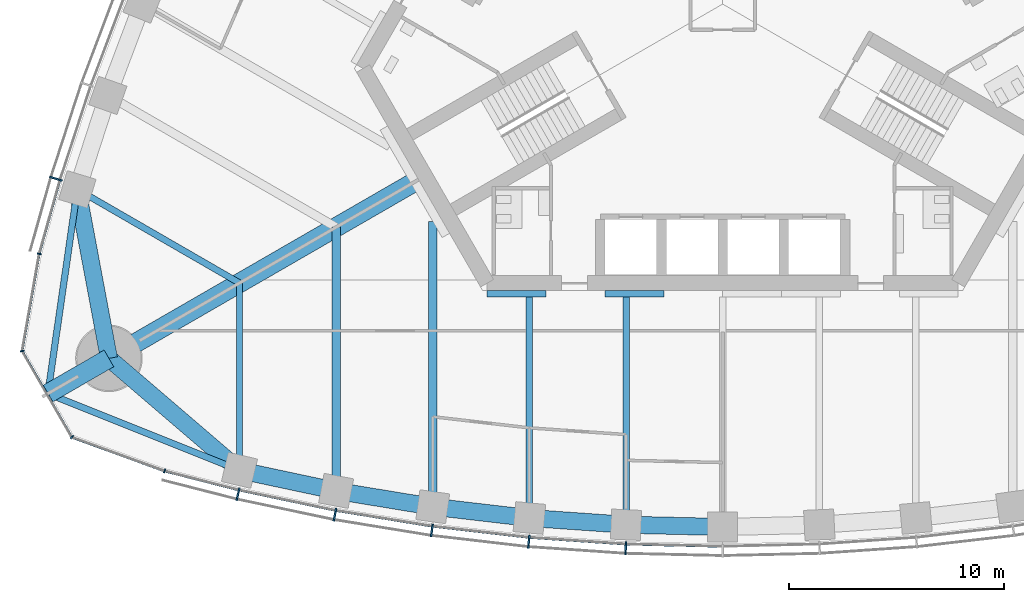
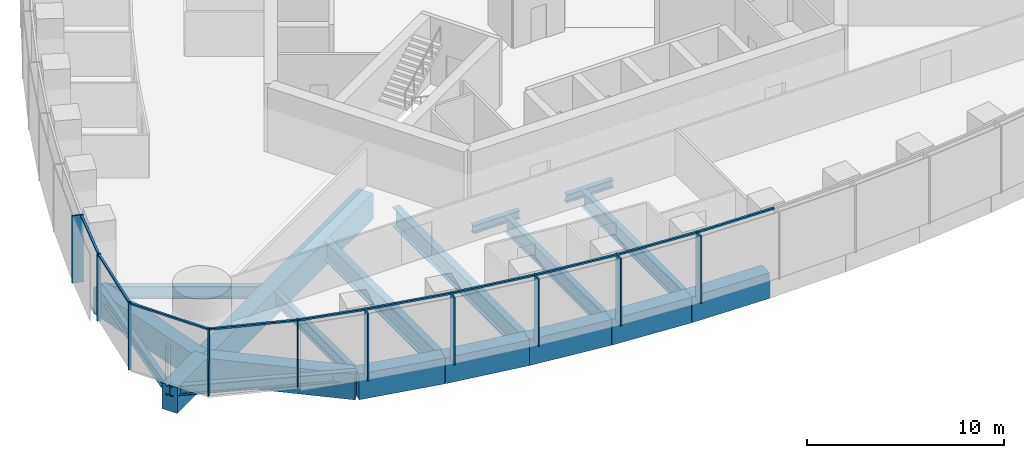
# One storey, part 2 of 19: 20 members, 19 beams, 3 elements without a shape of their own.
"""IFC4 building model written with IfcOpenShell, lengths in metres."""

from ifc_helpers import new_model, si_unit, direction, frame, origin, origin_2d, place, context, subcontext, project, spatial, rectangle, i_section, extrude, material, material_profile, profile_set, type_object, element, aggregate, save


model = new_model("IFC4")

# Units and contexts
model_context = context("Model", 3, precision=1e-05, world=origin(), true_north=direction((0.0, 1.0)))
body_context = subcontext(model_context, "Body", "Model", "MODEL_VIEW")
ifc_project = project(units=[si_unit("LENGTHUNIT", "METRE"), si_unit("AREAUNIT", "SQUARE_METRE"), si_unit("VOLUMEUNIT", "CUBIC_METRE"), si_unit("PLANEANGLEUNIT", "RADIAN"), si_unit("MASSUNIT", "GRAM", prefix="KILO")], contexts=[model_context])

# Site, building, storey
site_placement = place(None, origin())
site = spatial("IfcSite", under=ifc_project, at=site_placement, CompositionType="ELEMENT")
building_placement = place(site_placement, origin())
building = spatial("IfcBuilding", under=site, at=building_placement, Name="Trefoil Bronze Tower", CompositionType="ELEMENT")
storey_placement = place(building_placement, frame((0.0, 0.0, 244.300048828125)))
storey = spatial("IfcBuildingStorey", under=building, at=storey_placement, Name="L56", CompositionType="ELEMENT", Elevation=244.300048828125)

# Curtain wall, members
ifc_material_1 = material(Name="Tinted solar-control glass", Category="glass")
curtain_wall_type_1 = type_object("IfcCurtainWallType", Name="Bronze office curtain wall", PredefinedType="USERDEFINED", material=ifc_material_1)
curtain_wall_1_placement = place(storey_placement, origin())
curtain_wall_1 = element("IfcCurtainWall", 1, at=curtain_wall_1_placement, inside=storey, type_object=curtain_wall_type_1, Name="CW-A L56 F1", ObjectType="CURTAIN WALL", PredefinedType="USERDEFINED")
ifc_material_2 = material(Name="Bronze-finish aluminium", Category="aluminium")
ifc_material_profile_1 = material_profile(ifc_material_2, rectangle(XDim=0.60009765625, YDim=0.080078125, at=origin_2d()), Name="CW-A mullion")
ifc_profile_set_1 = profile_set([ifc_material_profile_1], Name="Bronze-finish aluminium")
member_type_1 = type_object("IfcMemberType", Name="Bronze office curtain wall mullion", PredefinedType="MULLION", material=ifc_profile_set_1)
member_1_placement = place(storey_placement, frame((-22.568115234375, -22.82421875, 0.0), z_axis=(0.0, 0.0, 1.0), x_axis=(0.227082662569, 0.973875487093, 0.0)))
member_1 = element("IfcMember", 2, at=member_1_placement, type_object=member_type_1, Name="CW-A L56 F1 mullion 2", PredefinedType="MULLION", context=body_context, shape_type="SweptSolid", body=[
    extrude(rectangle(XDim=0.60009765625, YDim=0.080078125, at=origin_2d()), origin(), (0.0, 0.0, 1.0), 4.179931640625),
])
member_2_placement = place(storey_placement, frame((-18.05517578125, -23.77783203125, 0.0), z_axis=(0.0, 0.0, 1.0), x_axis=(0.183825368167, 0.982958917767, 0.0)))
member_2 = element("IfcMember", 3, at=member_2_placement, type_object=member_type_1, Name="CW-A L56 F1 mullion 3", PredefinedType="MULLION", context=body_context, shape_type="SweptSolid", body=[
    extrude(rectangle(XDim=0.60009765625, YDim=0.080078125, at=origin_2d()), origin(), (0.0, 0.0, 1.0), 4.179931640625),
])
member_3_placement = place(storey_placement, frame((-13.541259765625, -24.51318359375, 0.0), z_axis=(0.0, 0.0, 1.0), x_axis=(0.137867887204, 0.990450627582, 0.0)))
member_3 = element("IfcMember", 4, at=member_3_placement, type_object=member_type_1, Name="CW-A L56 F1 mullion 4", PredefinedType="MULLION", context=body_context, shape_type="SweptSolid", body=[
    extrude(rectangle(XDim=0.60009765625, YDim=0.080078125, at=origin_2d()), origin(), (0.0, 0.0, 1.0), 4.179931640625),
])
member_4_placement = place(storey_placement, frame((-9.027587890625, -25.03515625, 0.0), z_axis=(0.0, 0.0, 1.0), x_axis=(0.091911396394, 0.995767189263, 0.0)))
member_4 = element("IfcMember", 5, at=member_4_placement, type_object=member_type_1, Name="CW-A L56 F1 mullion 5", PredefinedType="MULLION", context=body_context, shape_type="SweptSolid", body=[
    extrude(rectangle(XDim=0.60009765625, YDim=0.080078125, at=origin_2d()), origin(), (0.0, 0.0, 1.0), 4.179931640625),
])
member_5_placement = place(storey_placement, frame((-4.513671875, -25.346923828125, 0.0), z_axis=(0.0, 0.0, 1.0), x_axis=(0.045955542372, 0.998943485952, 0.0)))
member_5 = element("IfcMember", 6, at=member_5_placement, type_object=member_type_1, Name="CW-A L56 F1 mullion 6", PredefinedType="MULLION", context=body_context, shape_type="SweptSolid", body=[
    extrude(rectangle(XDim=0.60009765625, YDim=0.080078125, at=origin_2d()), origin(), (0.0, 0.0, 1.0), 4.179931640625),
])

# Curtain wall, member
curtain_wall_2_placement = place(storey_placement, origin())
curtain_wall_2 = element("IfcCurtainWall", 7, at=curtain_wall_2_placement, inside=storey, type_object=curtain_wall_type_1, Name="CW-A L56 F3", ObjectType="CURTAIN WALL", PredefinedType="USERDEFINED")
member_6_placement = place(storey_placement, frame((-31.05029296875, -8.132568359375, 0.0), z_axis=(0.0, 0.0, 1.0), x_axis=(0.95694224323, -0.290278389002, 0.0)))
member_6 = element("IfcMember", 8, at=member_6_placement, type_object=member_type_1, Name="CW-A L56 F3 mullion 12", PredefinedType="MULLION", context=body_context, shape_type="SweptSolid", body=[
    extrude(rectangle(XDim=0.60009765625, YDim=0.080078125, at=origin_2d()), origin(), (0.0, 0.0, 1.0), 4.179931640625),
])

# Member
ifc_material_3 = material(Name="Bronze-finish aluminium", Category="aluminium")
ifc_material_profile_2 = material_profile(ifc_material_3, rectangle(XDim=0.1201171875, YDim=0.10009765625, at=origin_2d()), Name="CW-A transom")
ifc_profile_set_2 = profile_set([ifc_material_profile_2], Name="Bronze-finish aluminium")
member_type_2 = type_object("IfcMemberType", Name="Bronze office curtain wall transom", PredefinedType="USERDEFINED", material=ifc_profile_set_2)
member_7_placement = place(storey_placement, frame((-25.93896484375, -21.75732421875, 4.1298828125), z_axis=(0.968935220916, -0.247314653162, 0.0), x_axis=(0.247314653162, 0.968935220916, 0.0)))
member_7 = element("IfcMember", 9, at=member_7_placement, type_object=member_type_2, Name="CW-A L56 F1 transom 1", ObjectType="TRANSOM", PredefinedType="USERDEFINED", context=body_context, shape_type="SweptSolid", body=[
    extrude(rectangle(XDim=0.1201171875, YDim=0.10009765625, at=origin_2d()), origin(), (0.0, 0.0, 1.0), 3.483642578125),
])

member_8_placement = place(storey_placement, frame((-22.4814453125, -22.63818359375, 4.1298828125), z_axis=(0.978395325657, -0.20674280334, 0.0), x_axis=(0.20674280334, 0.978395325657, 0.0)))
member_8 = element("IfcMember", 10, at=member_8_placement, type_object=member_type_2, Name="CW-A L56 F1 transom 2", ObjectType="TRANSOM", PredefinedType="USERDEFINED", context=body_context, shape_type="SweptSolid", body=[
    extrude(rectangle(XDim=0.1201171875, YDim=0.10009765625, at=origin_2d()), origin(), (0.0, 0.0, 1.0), 4.519287109375),
])

member_9_placement = place(storey_placement, frame((-17.9765625, -23.588134765625, 4.1298828125), z_axis=(0.986988367046, -0.160791676761, 0.0), x_axis=(0.160791676761, 0.986988367046, 0.0)))
member_9 = element("IfcMember", 11, at=member_9_placement, type_object=member_type_2, Name="CW-A L56 F1 transom 3", ObjectType="TRANSOM", PredefinedType="USERDEFINED", context=body_context, shape_type="SweptSolid", body=[
    extrude(rectangle(XDim=0.1201171875, YDim=0.10009765625, at=origin_2d()), origin(), (0.0, 0.0, 1.0), 4.479248046875),
])

member_10_placement = place(storey_placement, frame((-13.4716796875, -24.320068359375, 4.1298828125), z_axis=(0.993384885596, -0.114832352013, 0.0), x_axis=(0.114832352013, 0.993384885596, 0.0)))
member_10 = element("IfcMember", 12, at=member_10_placement, type_object=member_type_2, Name="CW-A L56 F1 transom 4", ObjectType="TRANSOM", PredefinedType="USERDEFINED", context=body_context, shape_type="SweptSolid", body=[
    extrude(rectangle(XDim=0.1201171875, YDim=0.10009765625, at=origin_2d()), origin(), (0.0, 0.0, 1.0), 4.449951171875),
])

member_11_placement = place(storey_placement, frame((-8.967041015625, -24.8388671875, 4.1298828125), z_axis=(0.997621320987, -0.06893257512, 0.0), x_axis=(0.06893257512, 0.997621320987, 0.0)))
member_11 = element("IfcMember", 13, at=member_11_placement, type_object=member_type_2, Name="CW-A L56 F1 transom 5", ObjectType="TRANSOM", PredefinedType="USERDEFINED", context=body_context, shape_type="SweptSolid", body=[
    extrude(rectangle(XDim=0.1201171875, YDim=0.10009765625, at=origin_2d()), origin(), (0.0, 0.0, 1.0), 4.4306640625),
])

member_12_placement = place(storey_placement, frame((-4.46240234375, -25.148193359375, 4.1298828125), z_axis=(0.999736131416, -0.022971015226, 0.0), x_axis=(0.022971015226, 0.999736131416, 0.0)))
member_12 = element("IfcMember", 14, at=member_12_placement, type_object=member_type_2, Name="CW-A L56 F1 transom 6", ObjectType="TRANSOM", PredefinedType="USERDEFINED", context=body_context, shape_type="SweptSolid", body=[
    extrude(rectangle(XDim=0.1201171875, YDim=0.10009765625, at=origin_2d()), origin(), (0.0, 0.0, 1.0), 4.42138671875),
])

aggregate(curtain_wall_1, [member_1, member_2, member_3, member_4, member_5, member_7, member_8, member_9, member_10, member_11, member_12])

member_13_placement = place(storey_placement, frame((-30.870361328125, -8.23095703125, 4.1298828125), z_axis=(-0.270284880437, -0.962780392097, 0.0), x_axis=(0.962780392097, -0.270284880437, 0.0)))
member_13 = element("IfcMember", 15, at=member_13_placement, type_object=member_type_2, Name="CW-A L56 F3 transom 12", ObjectType="TRANSOM", PredefinedType="USERDEFINED", context=body_context, shape_type="SweptSolid", body=[
    extrude(rectangle(XDim=0.1201171875, YDim=0.10009765625, at=origin_2d()), origin(), (0.0, 0.0, 1.0), 3.48388671875),
])

aggregate(curtain_wall_2, [member_6, member_13])

# Curtain wall, members
ifc_material_4 = material(Name="Tinted solar-control glass", Category="glass")
curtain_wall_type_2 = type_object("IfcCurtainWallType", Name="Bronze rounded corner curtain wall", PredefinedType="USERDEFINED", material=ifc_material_4)
curtain_wall_3_placement = place(storey_placement, origin())
curtain_wall_3 = element("IfcCurtainWall", 16, at=curtain_wall_3_placement, inside=storey, type_object=curtain_wall_type_2, Name="CW-B L56 K3", ObjectType="CURTAIN WALL", PredefinedType="USERDEFINED")
ifc_material_5 = material(Name="Bronze-finish aluminium", Category="aluminium")
ifc_material_profile_3 = material_profile(ifc_material_5, rectangle(XDim=0.199951171875, YDim=0.06005859375, at=origin_2d()), Name="CW-B mullion")
ifc_profile_set_3 = profile_set([ifc_material_profile_3], Name="Bronze-finish aluminium")
member_type_3 = type_object("IfcMemberType", Name="Bronze rounded corner curtain wall mullion", PredefinedType="MULLION", material=ifc_profile_set_3)
member_14_placement = place(storey_placement, frame((-31.824951171875, -11.63330078125, 0.0), z_axis=(0.0, 0.0, 1.0), x_axis=(0.984807753012, -0.173648177667, 0.0)))
member_14 = element("IfcMember", 17, at=member_14_placement, type_object=member_type_3, Name="CW-B L56 K3 mullion 1", PredefinedType="MULLION", context=body_context, shape_type="SweptSolid", body=[
    extrude(rectangle(XDim=0.199951171875, YDim=0.06005859375, at=origin_2d()), origin(), (0.0, 0.0, 1.0), 4.179931640625),
])
member_15_placement = place(storey_placement, frame((-32.616943359375, -16.158935546875, 0.0), z_axis=(0.0, 0.0, 1.0), x_axis=(0.984807753012, 0.173648177667, 0.0)))
member_15 = element("IfcMember", 18, at=member_15_placement, type_object=member_type_3, Name="CW-B L56 K3 mullion 2", PredefinedType="MULLION", context=body_context, shape_type="SweptSolid", body=[
    extrude(rectangle(XDim=0.199951171875, YDim=0.06005859375, at=origin_2d()), origin(), (0.0, 0.0, 1.0), 4.179931640625),
])
member_16_placement = place(storey_placement, frame((-30.302490234375, -20.16748046875, 0.0), z_axis=(0.0, 0.0, 1.0), x_axis=(0.642787609687, 0.766044443119, 0.0)))
member_16 = element("IfcMember", 19, at=member_16_placement, type_object=member_type_3, Name="CW-B L56 K3 mullion 3", PredefinedType="MULLION", context=body_context, shape_type="SweptSolid", body=[
    extrude(rectangle(XDim=0.199951171875, YDim=0.06005859375, at=origin_2d()), origin(), (0.0, 0.0, 1.0), 4.179931640625),
])
member_17_placement = place(storey_placement, frame((-25.9873046875, -21.74462890625, 0.0), z_axis=(0.0, 0.0, 1.0), x_axis=(0.342020143326, 0.939692620786, 0.0)))
member_17 = element("IfcMember", 20, at=member_17_placement, type_object=member_type_3, Name="CW-B L56 K3 mullion 4", PredefinedType="MULLION", context=body_context, shape_type="SweptSolid", body=[
    extrude(rectangle(XDim=0.199951171875, YDim=0.06005859375, at=origin_2d()), origin(), (0.0, 0.0, 1.0), 4.179931640625),
])
ifc_material_6 = material(Name="Bronze-finish aluminium", Category="aluminium")
ifc_material_profile_4 = material_profile(ifc_material_6, rectangle(XDim=0.1201171875, YDim=0.10009765625, at=origin_2d()), Name="CW-B transom")
ifc_profile_set_4 = profile_set([ifc_material_profile_4], Name="Bronze-finish aluminium")
member_type_4 = type_object("IfcMemberType", Name="Bronze rounded corner curtain wall transom", PredefinedType="USERDEFINED", material=ifc_profile_set_4)
member_18_placement = place(storey_placement, frame((-31.830078125, -11.662841796875, 4.1298828125), z_axis=(-0.173655350028, -0.984806488304, 0.0), x_axis=(0.984806488304, -0.173655350028, 0.0)))
member_18 = element("IfcMember", 21, at=member_18_placement, type_object=member_type_4, Name="CW-B L56 K3 transom 1", ObjectType="TRANSOM", PredefinedType="USERDEFINED", context=body_context, shape_type="SweptSolid", body=[
    extrude(rectangle(XDim=0.1201171875, YDim=0.10009765625, at=origin_2d()), origin(), (0.0, 0.0, 1.0), 4.500244140625),
])
member_19_placement = place(storey_placement, frame((-32.590087890625, -16.217529296875, 4.1298828125), z_axis=(0.500007335828, -0.866021168401, 0.0), x_axis=(0.866021168401, 0.500007335828, 0.0)))
member_19 = element("IfcMember", 22, at=member_19_placement, type_object=member_type_4, Name="CW-B L56 K3 transom 2", ObjectType="TRANSOM", PredefinedType="USERDEFINED", context=body_context, shape_type="SweptSolid", body=[
    extrude(rectangle(XDim=0.1201171875, YDim=0.10009765625, at=origin_2d()), origin(), (0.0, 0.0, 1.0), 4.50048828125),
])
member_20_placement = place(storey_placement, frame((-30.244140625, -20.195068359375, 4.1298828125), z_axis=(0.939680910753, -0.342052314664, 0.0), x_axis=(0.342052314664, 0.939680910753, 0.0)))
member_20 = element("IfcMember", 23, at=member_20_placement, type_object=member_type_4, Name="CW-B L56 K3 transom 3", ObjectType="TRANSOM", PredefinedType="USERDEFINED", context=body_context, shape_type="SweptSolid", body=[
    extrude(rectangle(XDim=0.1201171875, YDim=0.10009765625, at=origin_2d()), origin(), (0.0, 0.0, 1.0), 4.500244140625),
])
aggregate(curtain_wall_3, [member_14, member_15, member_16, member_17, member_18, member_19, member_20])

# Beams
ifc_material_7 = material(Name="Steel C355", Category="steel")
ifc_material_profile_5 = material_profile(ifc_material_7, i_section(OverallWidth=0.300048828125, OverallDepth=0.5, WebThickness=0.014404296875, FlangeThickness=0.028076171875, FilletRadius=0.027099609375, at=origin_2d()), Name="HEB 500")
ifc_profile_set_5 = profile_set([ifc_material_profile_5], Name="Steel C355")
beam_type_1 = type_object("IfcBeamType", Name="Core seat beam HEB 500", PredefinedType="BEAM", material=ifc_profile_set_5)
for number, where, z_axis, x_axis, name in (
    (24, (-10.9697265625, -13.5, -0.449951171875), (1.0, 0.0, 0.0), (0.0, 1.0, 0.0), "Core seat beam F1/-2 L56"),
    (25, (-5.48486328125, -13.5, -0.449951171875), (1.0, 0.0, 0.0), (0.0, 1.0, 0.0), "Core seat beam F1/-1 L56"),
):
    element("IfcBeam", number, at=place(storey_placement, frame(where, z_axis=z_axis, x_axis=x_axis)), inside=storey, type_object=beam_type_1, Name=name, PredefinedType="BEAM", context=body_context, shape_type="SweptSolid", body=[
        extrude(i_section(OverallWidth=0.300048828125, OverallDepth=0.5, WebThickness=0.014404296875, FlangeThickness=0.028076171875, FilletRadius=0.027099609375, at=origin_2d()), origin(), (0.0, 0.0, 1.0), 2.742431640625),
    ])
ifc_material_8 = material(Name="Concrete B80", Category="concrete")
ifc_material_profile_6 = material_profile(ifc_material_8, rectangle(XDim=0.89990234375, YDim=1.60009765625, at=origin_2d()), Name="RC 900x1600")
ifc_profile_set_6 = profile_set([ifc_material_profile_6], Name="Concrete B80")
beam_type_2 = type_object("IfcBeamType", Name="Corner cantilever RC 900x1600", PredefinedType="BEAM", material=ifc_profile_set_6)
beam_1_placement = place(storey_placement, frame((-28.578857421875, -16.5, -1.0), z_axis=(-0.866016004958, -0.500016278891, 0.0), x_axis=(0.500016278891, -0.866016004958, 0.0)))
element("IfcBeam", 26, at=beam_1_placement, inside=storey, type_object=beam_type_2, Name="Corner cantilever K3 L56", PredefinedType="BEAM", context=body_context, shape_type="SweptSolid", body=[
    extrude(rectangle(XDim=0.89990234375, YDim=1.60009765625, at=origin_2d()), origin(), (0.0, 0.0, 1.0), 3.28466796875),
])
ifc_material_9 = material(Name="Steel C355", Category="steel")
ifc_material_profile_7 = material_profile(ifc_material_9, i_section(OverallWidth=0.300048828125, OverallDepth=0.60009765625, WebThickness=0.015380859375, FlangeThickness=0.030029296875, FilletRadius=0.027099609375, at=origin_2d()), Name="HEB 600")
ifc_profile_set_7 = profile_set([ifc_material_profile_7], Name="Steel C355")
beam_type_3 = type_object("IfcBeamType", Name="Corner edge beam HEB 600", PredefinedType="BEAM", material=ifc_profile_set_7)
for number, where, z_axis, x_axis, name in (
    (27, (-22.5, -21.71044921875, -0.5), (-0.92852048463, 0.371281173266, 0.0), (-0.371281173266, -0.92852048463, 0.0), "Corner edge beam F1B L56"),
    (28, (-30.052001953125, -8.63037109375, -0.5), (-0.142694489722, -0.989766781925, 0.0), (0.989766781925, -0.142694489722, 0.0), "Corner edge beam F3A L56"),
):
    element("IfcBeam", number, at=place(storey_placement, frame(where, z_axis=z_axis, x_axis=x_axis)), inside=storey, type_object=beam_type_3, Name=name, PredefinedType="BEAM", context=body_context, shape_type="SweptSolid", body=[
        extrude(i_section(OverallWidth=0.300048828125, OverallDepth=0.60009765625, WebThickness=0.015380859375, FlangeThickness=0.030029296875, FilletRadius=0.027099609375, at=origin_2d()), origin(), (0.0, 0.0, 1.0), 9.6103515625),
    ])
ifc_material_10 = material(Name="Concrete B80", Category="concrete")
ifc_material_profile_8 = material_profile(ifc_material_10, rectangle(XDim=0.89990234375, YDim=1.60009765625, at=origin_2d()), Name="RC 900x1600")
ifc_profile_set_8 = profile_set([ifc_material_profile_8], Name="Concrete B80")
beam_type_4 = type_object("IfcBeamType", Name="Corner girder RC 900x1600", PredefinedType="BEAM", material=ifc_profile_set_8)
beam_2_placement = place(storey_placement, frame((-14.159423828125, -8.175048828125, -1.0), z_axis=(-0.866028334591, -0.49999492366, 0.0), x_axis=(0.49999492366, -0.866028334591, 0.0)))
element("IfcBeam", 29, at=beam_2_placement, inside=storey, type_object=beam_type_4, Name="Corner girder K3 L56", PredefinedType="BEAM", context=body_context, shape_type="SweptSolid", body=[
    extrude(rectangle(XDim=0.89990234375, YDim=1.60009765625, at=origin_2d()), origin(), (0.0, 0.0, 1.0), 16.650146484375),
])
ifc_material_11 = material(Name="Concrete B80", Category="concrete")
ifc_material_profile_9 = material_profile(ifc_material_11, rectangle(XDim=0.800048828125, YDim=1.60009765625, at=origin_2d()), Name="RC 800x1600")
ifc_profile_set_9 = profile_set([ifc_material_profile_9], Name="Concrete B80")
beam_type_5 = type_object("IfcBeamType", Name="End spandrel beam RC 800x1600", PredefinedType="SPANDREL", material=ifc_profile_set_9)
for number, where, z_axis, x_axis, name in (
    (30, (-28.578857421875, -16.5, -1.0), (0.759256602365, -0.650791373456, 0.0), (0.650791373456, 0.759256602365, 0.0), "Spandrel F1.1 L56"),
    (31, (-30.052001953125, -8.63037109375, -1.0), (0.18399763073, -0.982926686933, 0.0), (0.982926686933, 0.18399763073, 0.0), "Spandrel F3.12 L56"),
):
    element("IfcBeam", number, at=place(storey_placement, frame(where, z_axis=z_axis, x_axis=x_axis)), inside=storey, type_object=beam_type_5, Name=name, PredefinedType="SPANDREL", context=body_context, shape_type="SweptSolid", body=[
        extrude(rectangle(XDim=0.800048828125, YDim=1.60009765625, at=origin_2d()), origin(), (0.0, 0.0, 1.0), 8.00634765625),
    ])
ifc_material_12 = material(Name="Steel C355", Category="steel")
ifc_material_profile_10 = material_profile(ifc_material_12, i_section(OverallWidth=0.300048828125, OverallDepth=1.0, WebThickness=0.01904296875, FlangeThickness=0.035888671875, FilletRadius=0.030029296875, at=origin_2d()), Name="HEB 1000")
ifc_profile_set_10 = profile_set([ifc_material_profile_10], Name="Steel C355")
beam_type_6 = type_object("IfcBeamType", Name="Floor beam HEB 1000", PredefinedType="BEAM", material=ifc_profile_set_10)
beam_3_placement = place(storey_placement, frame((-9.0, -23.932861328125, -0.699951171875), z_axis=(0.0, 1.0, 0.0), x_axis=(-1.0, 0.0, 0.0)))
element("IfcBeam", 32, at=beam_3_placement, inside=storey, type_object=beam_type_6, Name="Floor beam F1/-2 L56", PredefinedType="BEAM", context=body_context, shape_type="SweptSolid", body=[
    extrude(i_section(OverallWidth=0.300048828125, OverallDepth=1.0, WebThickness=0.01904296875, FlangeThickness=0.035888671875, FilletRadius=0.030029296875, at=origin_2d()), origin(), (0.0, 0.0, 1.0), 10.282958984375),
])
ifc_material_13 = material(Name="Steel C355", Category="steel")
ifc_material_profile_11 = material_profile(ifc_material_13, i_section(OverallWidth=0.300048828125, OverallDepth=0.800048828125, WebThickness=0.017578125, FlangeThickness=0.032958984375, FilletRadius=0.030029296875, at=origin_2d()), Name="HEB 800")
ifc_profile_set_11 = profile_set([ifc_material_profile_11], Name="Steel C355")
beam_type_7 = type_object("IfcBeamType", Name="Floor beam HEB 800", PredefinedType="BEAM", material=ifc_profile_set_11)
beam_4_placement = place(storey_placement, frame((-22.5, -21.71044921875, -0.60009765625), z_axis=(0.0, 1.0, 0.0), x_axis=(-1.0, 0.0, 0.0)))
element("IfcBeam", 33, at=beam_4_placement, inside=storey, type_object=beam_type_7, Name="Floor beam F1/-5 L56", PredefinedType="BEAM", context=body_context, shape_type="SweptSolid", body=[
    extrude(i_section(OverallWidth=0.300048828125, OverallDepth=0.800048828125, WebThickness=0.017578125, FlangeThickness=0.032958984375, FilletRadius=0.030029296875, at=origin_2d()), origin(), (0.0, 0.0, 1.0), 8.719970703125),
])
beam_5_placement = place(storey_placement, frame((-30.052001953125, -8.63037109375, -0.60009765625), z_axis=(0.866027535932, -0.499996306993, 0.0), x_axis=(0.499996306993, 0.866027535932, 0.0)))
element("IfcBeam", 34, at=beam_5_placement, inside=storey, type_object=beam_type_7, Name="Floor beam F3/+5 L56", PredefinedType="BEAM", context=body_context, shape_type="SweptSolid", body=[
    extrude(i_section(OverallWidth=0.300048828125, OverallDepth=0.800048828125, WebThickness=0.017578125, FlangeThickness=0.032958984375, FilletRadius=0.030029296875, at=origin_2d()), origin(), (0.0, 0.0, 1.0), 8.72021484375),
])
ifc_material_14 = material(Name="Steel C355", Category="steel")
ifc_material_profile_12 = material_profile(ifc_material_14, i_section(OverallWidth=0.302001953125, OverallDepth=1.008056640625, WebThickness=0.02099609375, FlangeThickness=0.0400390625, FilletRadius=0.030029296875, at=origin_2d()), Name="HEM 1000")
ifc_profile_set_12 = profile_set([ifc_material_profile_12], Name="Steel C355")
beam_type_8 = type_object("IfcBeamType", Name="Floor beam HEM 1000", PredefinedType="BEAM", material=ifc_profile_set_12)
beam_6_placement = place(storey_placement, frame((-4.5, -24.246337890625, -0.7041015625), z_axis=(0.0, 1.0, 0.0), x_axis=(-1.0, 0.0, 0.0)))
element("IfcBeam", 35, at=beam_6_placement, inside=storey, type_object=beam_type_8, Name="Floor beam F1/-1 L56", PredefinedType="BEAM", context=body_context, shape_type="SweptSolid", body=[
    extrude(i_section(OverallWidth=0.302001953125, OverallDepth=1.008056640625, WebThickness=0.02099609375, FlangeThickness=0.0400390625, FilletRadius=0.030029296875, at=origin_2d()), origin(), (0.0, 0.0, 1.0), 10.596435546875),
])
ifc_material_15 = material(Name="Steel C355", Category="steel")
ifc_material_profile_13 = material_profile(ifc_material_15, i_section(OverallWidth=0.39990234375, OverallDepth=1.199951171875, WebThickness=0.02001953125, FlangeThickness=0.0400390625, FilletRadius=0.010009765625, at=origin_2d()), Name="WPG 1200")
ifc_profile_set_13 = profile_set([ifc_material_profile_13], Name="Steel C355")
beam_type_9 = type_object("IfcBeamType", Name="Floor beam WPG 1200", PredefinedType="BEAM", material=ifc_profile_set_13)
beam_7_placement = place(storey_placement, frame((-18.0, -22.6689453125, -0.800048828125), z_axis=(0.0, 1.0, 0.0), x_axis=(-1.0, 0.0, 0.0)))
element("IfcBeam", 36, at=beam_7_placement, inside=storey, type_object=beam_type_9, Name="Floor beam F1/-4 L56", PredefinedType="BEAM", context=body_context, shape_type="SweptSolid", body=[
    extrude(i_section(OverallWidth=0.39990234375, OverallDepth=1.199951171875, WebThickness=0.02001953125, FlangeThickness=0.0400390625, FilletRadius=0.010009765625, at=origin_2d()), origin(), (0.0, 0.0, 1.0), 12.276611328125),
])
beam_8_placement = place(storey_placement, frame((-13.5, -23.408447265625, -0.800048828125), z_axis=(0.0, 1.0, 0.0), x_axis=(-1.0, 0.0, 0.0)))
element("IfcBeam", 37, at=beam_8_placement, inside=storey, type_object=beam_type_9, Name="Floor beam F1/-3 L56", PredefinedType="BEAM", context=body_context, shape_type="SweptSolid", body=[
    extrude(i_section(OverallWidth=0.39990234375, OverallDepth=1.199951171875, WebThickness=0.02001953125, FlangeThickness=0.0400390625, FilletRadius=0.010009765625, at=origin_2d()), origin(), (0.0, 0.0, 1.0), 13.291015625),
])
ifc_material_16 = material(Name="Concrete B80", Category="concrete")
ifc_material_profile_14 = material_profile(ifc_material_16, rectangle(XDim=0.800048828125, YDim=1.60009765625, at=origin_2d()), Name="RC 800x1600")
ifc_profile_set_14 = profile_set([ifc_material_profile_14], Name="Concrete B80")
beam_type_10 = type_object("IfcBeamType", Name="Spandrel beam RC 800x1600", PredefinedType="SPANDREL", material=ifc_profile_set_14)
beam_9_placement = place(storey_placement, frame((-22.5, -21.71044921875, -1.0), z_axis=(0.978059483036, -0.208325820877, 0.0), x_axis=(0.208325820877, 0.978059483036, 0.0)))
element("IfcBeam", 38, at=beam_9_placement, inside=storey, type_object=beam_type_10, Name="Spandrel F1.2 L56", PredefinedType="SPANDREL", context=body_context, shape_type="SweptSolid", body=[
    extrude(rectangle(XDim=0.800048828125, YDim=1.60009765625, at=origin_2d()), origin(), (0.0, 0.0, 1.0), 4.600830078125),
])
beam_10_placement = place(storey_placement, frame((-18.0, -22.6689453125, -1.0), z_axis=(0.986764681833, -0.162158757664, 0.0), x_axis=(0.162158757664, 0.986764681833, 0.0)))
element("IfcBeam", 39, at=beam_10_placement, inside=storey, type_object=beam_type_10, Name="Spandrel F1.3 L56", PredefinedType="SPANDREL", context=body_context, shape_type="SweptSolid", body=[
    extrude(rectangle(XDim=0.800048828125, YDim=1.60009765625, at=origin_2d()), origin(), (0.0, 0.0, 1.0), 4.560302734375),
])
beam_11_placement = place(storey_placement, frame((-13.5, -23.408447265625, -1.0), z_axis=(0.993278017132, -0.115753102257, 0.0), x_axis=(0.115753102257, 0.993278017132, 0.0)))
element("IfcBeam", 40, at=beam_11_placement, inside=storey, type_object=beam_type_10, Name="Spandrel F1.4 L56", PredefinedType="SPANDREL", context=body_context, shape_type="SweptSolid", body=[
    extrude(rectangle(XDim=0.800048828125, YDim=1.60009765625, at=origin_2d()), origin(), (0.0, 0.0, 1.0), 4.530517578125),
])
beam_12_placement = place(storey_placement, frame((-9.0, -23.932861328125, -1.0), z_axis=(0.997582435881, -0.069493047291, 0.0), x_axis=(0.069493047291, 0.997582435881, 0.0)))
element("IfcBeam", 41, at=beam_12_placement, inside=storey, type_object=beam_type_10, Name="Spandrel F1.5 L56", PredefinedType="SPANDREL", context=body_context, shape_type="SweptSolid", body=[
    extrude(rectangle(XDim=0.800048828125, YDim=1.60009765625, at=origin_2d()), origin(), (0.0, 0.0, 1.0), 4.510986328125),
])
beam_13_placement = place(storey_placement, frame((-4.5, -24.246337890625, -1.0), z_axis=(0.999731770792, -0.023160018779, 0.0), x_axis=(0.023160018779, 0.999731770792, 0.0)))
element("IfcBeam", 42, at=beam_13_placement, inside=storey, type_object=beam_type_10, Name="Spandrel F1.6 L56", PredefinedType="SPANDREL", context=body_context, shape_type="SweptSolid", body=[
    extrude(rectangle(XDim=0.800048828125, YDim=1.60009765625, at=origin_2d()), origin(), (0.0, 0.0, 1.0), 4.501220703125),
])

save(model, "model.ifc")
